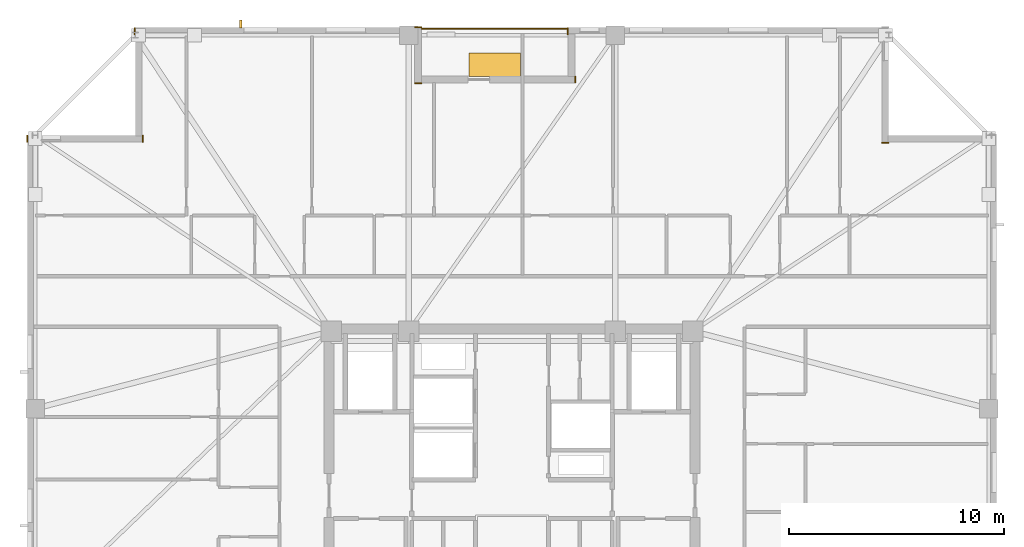
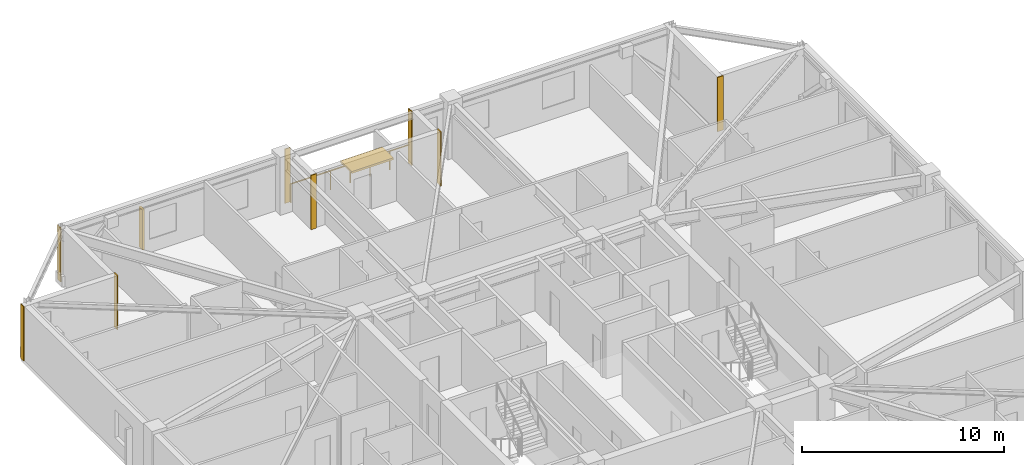
# One storey, part 16 of 17: 8 coverings, 2 shading devices, 1 railing.
"""IFC4 building model written with IfcOpenShell, lengths in metres."""

from ifc_helpers import new_model, si_unit, direction, frame, frame_2d, origin, origin_2d, place, context, subcontext, project, spatial, rectangle, circle, extrude, material, layer, layer_set, type_object, element, save


model = new_model("IFC4")

# Units and contexts
model_context = context("Model", 3, precision=1e-05, world=origin(), true_north=direction((0.0, 1.0)))
body_context = subcontext(model_context, "Body", "Model", "MODEL_VIEW")
ifc_project = project(units=[si_unit("LENGTHUNIT", "METRE"), si_unit("AREAUNIT", "SQUARE_METRE"), si_unit("VOLUMEUNIT", "CUBIC_METRE"), si_unit("PLANEANGLEUNIT", "RADIAN"), si_unit("MASSUNIT", "GRAM", prefix="KILO")], contexts=[model_context])

# Site, building, storey
site_placement = place(None, origin())
site = spatial("IfcSite", under=ifc_project, at=site_placement, CompositionType="ELEMENT")
building_placement = place(site_placement, origin())
building = spatial("IfcBuilding", under=site, at=building_placement, Name="Cairnveth Concourse Tower", CompositionType="ELEMENT")
storey_placement = place(building_placement, frame((0.0, 0.0, 206.0)))
storey = spatial("IfcBuildingStorey", under=building, at=storey_placement, Name="L56", CompositionType="ELEMENT", Elevation=206.0)

# Coverings
ifc_material_1 = material(Name="Dressed Melbourne Bluestone Cladding", Category="masonry")
ifc_layer = layer(ifc_material_1, 0.050048828125)
ifc_layer_set = layer_set([ifc_layer], Name="Dressed Melbourne Bluestone Cladding")
covering_type = type_object("IfcCoveringType", Name="DRESSED BLUESTONE PLINTH CLADDING 50", PredefinedType="CLADDING", material=ifc_layer_set)
for number, where, z_axis, x_axis, name in (
    (1, (54.580078125, 61.179931640625, 0.0), (0.0, 0.0, 1.0), (0.0, 1.0, 0.0), "Melbourne Bluestone Corner Quoin L56-831"),
    (2, (69.179931640625, 56.159912109375, 0.0), (0.0, 0.0, 1.0), (1.0, 0.0, 0.0), "Melbourne Bluestone Corner Quoin L56-833"),
    (3, (29.47998046875, 56.179931640625, 0.0), (0.0, 0.0, 1.0), (0.0, 1.0, 0.0), "Melbourne Bluestone Corner Quoin L56-841"),
    (4, (34.840087890625, 56.179931640625, 0.0), (0.0, 0.0, 1.0), (0.0, 1.0, 0.0), "Melbourne Bluestone Corner Quoin L56-842"),
    (5, (34.47998046875, 61.179931640625, 0.0), (0.0, 0.0, 1.0), (0.0, 1.0, 0.0), "Melbourne Bluestone Corner Quoin L56-843"),
    (6, (47.47998046875, 61.52001953125, 0.0), (0.0, 0.0, 1.0), (1.0, 0.0, 0.0), "Melbourne Bluestone Corner Quoin L56-844"),
    (7, (47.47998046875, 58.909912109375, 0.0), (0.0, 0.0, 1.0), (1.0, 0.0, 0.0), "Melbourne Bluestone Corner Quoin L56-845"),
    (8, (54.93994140625, 58.929931640625, 0.0), (0.0, 0.0, 1.0), (0.0, 1.0, 0.0), "Melbourne Bluestone Corner Quoin L56-846"),
):
    element("IfcCovering", number, at=place(storey_placement, frame(where, z_axis=z_axis, x_axis=x_axis)), inside=storey, type_object=covering_type, Name=name, PredefinedType="CLADDING", context=body_context, shape_type="SweptSolid", body=[
        extrude(rectangle(XDim=0.320068359375, YDim=0.050048828125, at=frame_2d((0.16015625, 0.0))), origin(), (0.0, 0.0, 1.0), 3.2900390625),
    ])

# Shading devices
ifc_material_2 = material(Name="Architectural Bronze Anodised Aluminium 6063-T6", Category="aluminium")
shading_device_type_1 = type_object("IfcShadingDeviceType", Name="GOTHIC BRONZE VERTICAL LANCET FIN", PredefinedType="USERDEFINED", material=ifc_material_2)
shading_device_1_placement = place(storey_placement, frame((39.390380859375, 61.675048828125, 0.030029296875), z_axis=(0.0, 0.0, 1.0), x_axis=(1.0, 0.0, 0.0)))
element("IfcShadingDevice", 9, at=shading_device_1_placement, inside=storey, type_object=shading_device_type_1, Name="Gothic Bronze Vertical Fin L56-12-1", ObjectType="VERTICAL FIN", PredefinedType="USERDEFINED", context=body_context, shape_type="SweptSolid", body=[
    extrude(rectangle(XDim=0.1201171875, YDim=0.360107421875, at=origin_2d()), origin(), (0.0, 0.0, 1.0), 2.43798828125),
])
shading_device_type_2 = type_object("IfcShadingDeviceType", Name="SPIRAL TERRACE SUNSHADE CANOPY", PredefinedType="USERDEFINED", material=ifc_material_2)
shading_device_2_placement = place(storey_placement, frame((51.199951171875, 59.77001953125, 2.31787109375), z_axis=(0.0, 0.0, 1.0), x_axis=(1.0, 0.0, 0.0)))
element("IfcShadingDevice", 10, at=shading_device_2_placement, inside=storey, type_object=shading_device_type_2, Name="Spiral Terrace Sunshade L56", ObjectType="TERRACE SUNSHADE", PredefinedType="USERDEFINED", context=body_context, shape_type="SweptSolid", body=[
    extrude(rectangle(XDim=2.39990234375, YDim=1.10009765625, at=origin_2d()), origin(), (0.0, 0.0, 1.0), 0.1201171875),
])

# Railing
railing_type = type_object("IfcRailingType", Name="TERRACE BRONZE BALUSTRADE 1150", PredefinedType="BALUSTRADE", material=ifc_material_2)
railing_placement = place(storey_placement, frame((47.800048828125, 61.43994140625, 0.0)))
element("IfcRailing", 11, at=railing_placement, inside=storey, type_object=railing_type, Name="Terrace Balustrade RL-L56-TERR", PredefinedType="BALUSTRADE", context=body_context, shape_type="SweptSolid", body=[
    extrude(circle(Radius=0.02490234375, at=origin_2d()), frame((0.0, 0.0, 1.125), z_axis=(1.0, 0.0, 0.0), x_axis=(0.0, 1.0, 0.0)), (0.0, 0.0, 1.0), 6.800048828125),
    extrude(circle(Radius=0.02099609375, at=origin_2d()), origin(), (0.0, 0.0, 1.0), 1.099853515625),
    extrude(circle(Radius=0.02099609375, at=origin_2d()), frame((1.13330078125, 0.0, 0.0)), (0.0, 0.0, 1.0), 1.099853515625),
    extrude(circle(Radius=0.02099609375, at=origin_2d()), frame((2.2666015625, 0.0, 0.0)), (0.0, 0.0, 1.0), 1.099853515625),
    extrude(circle(Radius=0.02099609375, at=origin_2d()), frame((3.39990234375, 0.0, 0.0)), (0.0, 0.0, 1.0), 1.099853515625),
    extrude(circle(Radius=0.02099609375, at=origin_2d()), frame((4.533447265625, 0.0, 0.0)), (0.0, 0.0, 1.0), 1.099853515625),
    extrude(circle(Radius=0.02099609375, at=origin_2d()), frame((5.666748046875, 0.0, 0.0)), (0.0, 0.0, 1.0), 1.099853515625),
    extrude(circle(Radius=0.02099609375, at=origin_2d()), frame((6.800048828125, 0.0, 0.0)), (0.0, 0.0, 1.0), 1.099853515625),
])

save(model, "model.ifc")
